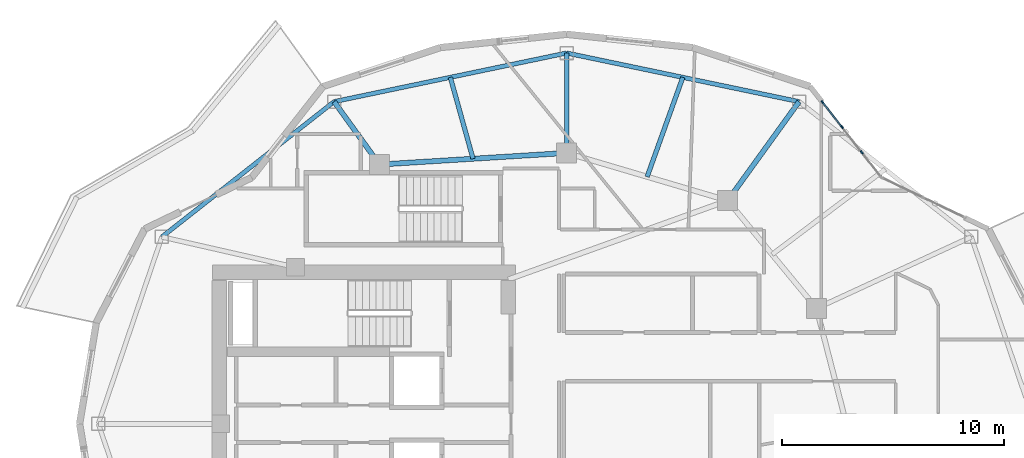
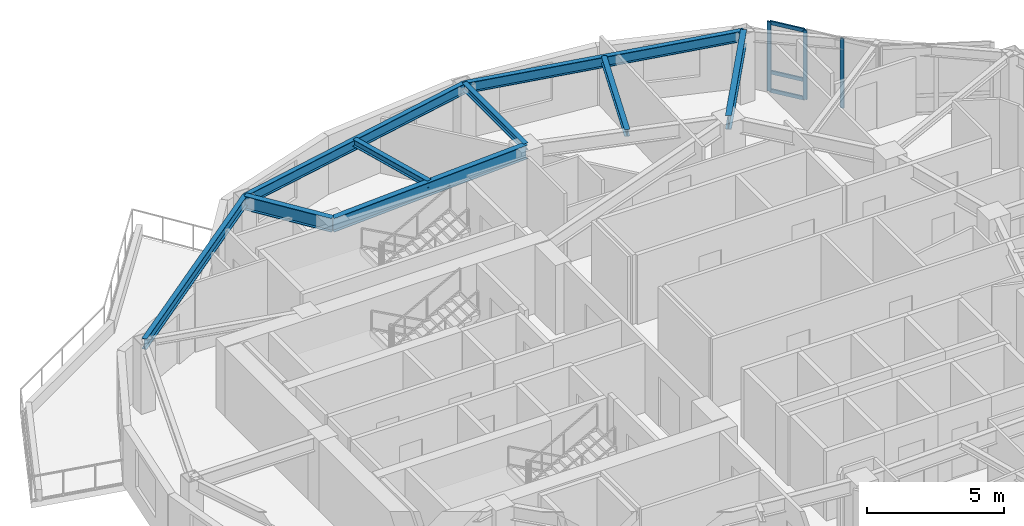
# One storey, part 3 of 13: 9 beams, 6 members, 1 element without a shape of its own.
"""IFC4 building model written with IfcOpenShell, lengths in metres."""

from ifc_helpers import new_model, si_unit, direction, frame, origin, origin_2d, place, context, subcontext, project, spatial, rectangle, i_section, extrude, material, layer, layer_set, material_profile, profile_set, type_object, element, aggregate, save


model = new_model("IFC4")

# Units and contexts
model_context = context("Model", 3, precision=1e-05, world=origin(), true_north=direction((0.0, 1.0)))
body_context = subcontext(model_context, "Body", "Model", "MODEL_VIEW")
ifc_project = project(units=[si_unit("LENGTHUNIT", "METRE"), si_unit("AREAUNIT", "SQUARE_METRE"), si_unit("VOLUMEUNIT", "CUBIC_METRE"), si_unit("PLANEANGLEUNIT", "RADIAN"), si_unit("MASSUNIT", "GRAM", prefix="KILO")], contexts=[model_context])

# Site, building, storey
site_placement = place(None, origin())
site = spatial("IfcSite", under=ifc_project, at=site_placement, CompositionType="ELEMENT")
building_placement = place(site_placement, origin())
building = spatial("IfcBuilding", under=site, at=building_placement, Name="Kolvaren Gate Tower and Convention Centre", CompositionType="ELEMENT")
storey_placement = place(building_placement, frame((0.0, 0.0, 183.5)))
storey = spatial("IfcBuildingStorey", under=building, at=storey_placement, Name="L48", CompositionType="ELEMENT", Elevation=183.5)

# Curtain wall, members
ifc_material_1 = material(Name="Anodized Architectural Aluminium Alloy 6063-T6", Category="aluminium")
ifc_layer = layer(ifc_material_1, 0.159912109375)
ifc_layer_set = layer_set([ifc_layer], Name="Anodized Architectural Aluminium Alloy 6063-T6")
curtain_wall_type = type_object("IfcCurtainWallType", Name="CW-HTL-UNIT", PredefinedType="NOTDEFINED", material=ifc_layer_set)
curtain_wall_placement = place(storey_placement, origin())
curtain_wall = element("IfcCurtainWall", 1, at=curtain_wall_placement, inside=storey, type_object=curtain_wall_type, Name="Tower L48 Unitised Curtain Wall CW-HTL-UNIT Bay 03", PredefinedType="NOTDEFINED")
ifc_material_profile_1 = material_profile(ifc_material_1, rectangle(XDim=0.06494140625, YDim=0.159912109375, at=origin_2d()), Name="CW-MEM-MUL-160")
ifc_profile_set_1 = profile_set([ifc_material_profile_1], Name="Anodized Architectural Aluminium Alloy 6063-T6")
member_type_1 = type_object("IfcMemberType", Name="CW-MEM-MUL-160", PredefinedType="MULLION", material=ifc_profile_set_1)
member_1_placement = place(storey_placement, frame((41.65380859375, 41.4833984375, 0.0), z_axis=(0.0, 0.0, 1.0), x_axis=(0.787403535469, 0.616437890084, 0.0)))
member_1 = element("IfcMember", 2, at=member_1_placement, type_object=member_type_1, Name="CW-03 mullion 1", PredefinedType="MULLION", context=body_context, shape_type="SweptSolid", body=[
    extrude(rectangle(XDim=0.06494140625, YDim=0.159912109375, at=origin_2d()), origin(), (0.0, 0.0, 1.0), 3.080078125),
])
member_2_placement = place(storey_placement, frame((42.527099609375, 40.367919921875, 0.0), z_axis=(0.0, 0.0, 1.0), x_axis=(0.787403535469, 0.616437890084, 0.0)))
member_2 = element("IfcMember", 3, at=member_2_placement, type_object=member_type_1, Name="CW-03 mullion 2", PredefinedType="MULLION", context=body_context, shape_type="SweptSolid", body=[
    extrude(rectangle(XDim=0.06494140625, YDim=0.159912109375, at=origin_2d()), origin(), (0.0, 0.0, 1.0), 3.080078125),
])
member_3_placement = place(storey_placement, frame((43.420166015625, 39.22705078125, 0.0), z_axis=(0.0, 0.0, 1.0), x_axis=(0.787403535469, 0.616437890084, 0.0)))
member_3 = element("IfcMember", 4, at=member_3_placement, type_object=member_type_1, Name="CW-03 mullion 3", PredefinedType="MULLION", context=body_context, shape_type="SweptSolid", body=[
    extrude(rectangle(XDim=0.06494140625, YDim=0.159912109375, at=origin_2d()), origin(), (0.0, 0.0, 1.0), 3.080078125),
])
ifc_material_profile_2 = material_profile(ifc_material_1, rectangle(XDim=0.06494140625, YDim=0.159912109375, at=origin_2d()), Name="CW-MEM-TRN-160")
ifc_profile_set_2 = profile_set([ifc_material_profile_2], Name="Anodized Architectural Aluminium Alloy 6063-T6")
member_type_2 = type_object("IfcMemberType", Name="CW-MEM-TRN-160", PredefinedType="USERDEFINED", material=ifc_profile_set_2)
member_4_placement = place(storey_placement, frame((41.673828125, 41.457763671875, 0.032470703125), z_axis=(0.616488451497, -0.787363949626, 0.0), x_axis=(0.787363949626, 0.616488451497, 0.0)))
member_4 = element("IfcMember", 5, at=member_4_placement, type_object=member_type_2, Name="CW-03 transom 1.1", ObjectType="TRANSOM", PredefinedType="USERDEFINED", context=body_context, shape_type="SweptSolid", body=[
    extrude(rectangle(XDim=0.06494140625, YDim=0.159912109375, at=origin_2d()), origin(), (0.0, 0.0, 1.0), 1.3515625),
])
member_5_placement = place(storey_placement, frame((41.673828125, 41.457763671875, 0.85009765625), z_axis=(0.616488451497, -0.787363949626, 0.0), x_axis=(0.787363949626, 0.616488451497, 0.0)))
member_5 = element("IfcMember", 6, at=member_5_placement, type_object=member_type_2, Name="CW-03 transom 1.2", ObjectType="TRANSOM", PredefinedType="USERDEFINED", context=body_context, shape_type="SweptSolid", body=[
    extrude(rectangle(XDim=0.06494140625, YDim=0.159912109375, at=origin_2d()), origin(), (0.0, 0.0, 1.0), 1.3515625),
])
member_6_placement = place(storey_placement, frame((41.673828125, 41.457763671875, 3.047607421875), z_axis=(0.616488451497, -0.787363949626, 0.0), x_axis=(0.787363949626, 0.616488451497, 0.0)))
member_6 = element("IfcMember", 7, at=member_6_placement, type_object=member_type_2, Name="CW-03 transom 1.3", ObjectType="TRANSOM", PredefinedType="USERDEFINED", context=body_context, shape_type="SweptSolid", body=[
    extrude(rectangle(XDim=0.06494140625, YDim=0.159912109375, at=origin_2d()), origin(), (0.0, 0.0, 1.0), 1.3515625),
])
aggregate(curtain_wall, [member_1, member_2, member_3, member_4, member_5, member_6])

# Beams
ifc_material_2 = material(Name="Structural steel ASTM A992 Grade 345 MPa", Category="steel")
ifc_material_profile_3 = material_profile(ifc_material_2, i_section(OverallWidth=0.22998046875, OverallDepth=0.616943359375, WebThickness=0.01318359375, FlangeThickness=0.022216796875, at=origin_2d()), Name="W610X140")
ifc_profile_set_3 = profile_set([ifc_material_profile_3], Name="Structural steel ASTM A992 Grade 345 MPa")
beam_type_1 = type_object("IfcBeamType", Name="STR-BM-W610X140", PredefinedType="BEAM", material=ifc_profile_set_3)
beam_1_placement = place(storey_placement, frame((30.125, 39.199951171875, 2.771484375), z_axis=(-0.998078258568, -0.06196603726, 0.0), x_axis=(0.06196603726, -0.998078258568, 0.0)))
element("IfcBeam", 8, at=beam_1_placement, inside=storey, type_object=beam_type_1, Name="Tower L48 Primary Ring Girder G-04", PredefinedType="BEAM", context=body_context, shape_type="SweptSolid", body=[
    extrude(i_section(OverallWidth=0.22998046875, OverallDepth=0.616943359375, WebThickness=0.01318359375, FlangeThickness=0.022216796875, at=origin_2d()), origin(), (0.0, 0.0, 1.0), 8.443115234375),
])
beam_2_placement = place(storey_placement, frame((37.381591796875, 37.054931640625, 2.771484375), z_axis=(0.58520818289, 0.810883088169, 0.0), x_axis=(-0.810883088169, 0.58520818289, 0.0)))
element("IfcBeam", 9, at=beam_2_placement, inside=storey, type_object=beam_type_1, Name="Tower L48 Radial Floor Girder RB-03", PredefinedType="BEAM", context=body_context, shape_type="SweptSolid", body=[
    extrude(i_section(OverallWidth=0.22998046875, OverallDepth=0.616943359375, WebThickness=0.01318359375, FlangeThickness=0.022216796875, at=origin_2d()), origin(), (0.0, 0.0, 1.0), 5.493408203125),
])
beam_3_placement = place(storey_placement, frame((21.697998046875, 38.6767578125, 2.771484375), z_axis=(-0.585171547435, 0.810909526441, 0.0), x_axis=(-0.810909526441, -0.585171547435, 0.0)))
element("IfcBeam", 10, at=beam_3_placement, inside=storey, type_object=beam_type_1, Name="Tower L48 Radial Floor Girder RB-05", PredefinedType="BEAM", context=body_context, shape_type="SweptSolid", body=[
    extrude(i_section(OverallWidth=0.22998046875, OverallDepth=0.616943359375, WebThickness=0.01318359375, FlangeThickness=0.022216796875, at=origin_2d()), origin(), (0.0, 0.0, 1.0), 3.493408203125),
])
ifc_material_profile_4 = material_profile(ifc_material_2, i_section(OverallWidth=0.205078125, OverallDepth=0.31005859375, WebThickness=0.009521484375, FlangeThickness=0.016357421875, at=origin_2d()), Name="W310X74")
ifc_profile_set_4 = profile_set([ifc_material_profile_4], Name="Structural steel ASTM A992 Grade 345 MPa")
beam_type_2 = type_object("IfcBeamType", Name="STR-JS-W310X74", PredefinedType="JOIST", material=ifc_profile_set_4)
beam_4_placement = place(storey_placement, frame((30.125, 39.199951171875, 2.925048828125), z_axis=(0.0, 1.0, 0.0), x_axis=(-1.0, 0.0, 0.0)))
element("IfcBeam", 11, at=beam_4_placement, inside=storey, type_object=beam_type_2, Name="Tower L48 Radial Floor Girder RB-04", PredefinedType="JOIST", context=body_context, shape_type="SweptSolid", body=[
    extrude(i_section(OverallWidth=0.205078125, OverallDepth=0.31005859375, WebThickness=0.009521484375, FlangeThickness=0.016357421875, at=origin_2d()), origin(), (0.0, 0.0, 1.0), 4.5),
])
beam_5_placement = place(storey_placement, frame((33.75341796875, 38.12744140625, 2.925048828125), z_axis=(0.33785426197, 0.941198436924, 0.0), x_axis=(-0.941198436924, 0.33785426197, 0.0)))
element("IfcBeam", 12, at=beam_5_placement, inside=storey, type_object=beam_type_2, Name="Tower L48 Secondary Composite Floor Joist J-03.1", PredefinedType="JOIST", context=body_context, shape_type="SweptSolid", body=[
    extrude(i_section(OverallWidth=0.205078125, OverallDepth=0.31005859375, WebThickness=0.009521484375, FlangeThickness=0.016357421875, at=origin_2d()), origin(), (0.0, 0.0, 1.0), 4.757080078125),
])
beam_6_placement = place(storey_placement, frame((25.91162109375, 38.938232421875, 2.925048828125), z_axis=(-0.26855678261, 0.963263855085, 0.0), x_axis=(-0.963263855085, -0.26855678261, 0.0)))
element("IfcBeam", 13, at=beam_6_placement, inside=storey, type_object=beam_type_2, Name="Tower L48 Secondary Composite Floor Joist J-04.1", PredefinedType="JOIST", context=body_context, shape_type="SweptSolid", body=[
    extrude(i_section(OverallWidth=0.205078125, OverallDepth=0.31005859375, WebThickness=0.009521484375, FlangeThickness=0.016357421875, at=origin_2d()), origin(), (0.0, 0.0, 1.0), 3.806396484375),
])
ifc_material_profile_5 = material_profile(ifc_material_2, i_section(OverallWidth=0.194091796875, OverallDepth=0.468994140625, WebThickness=0.0126953125, FlangeThickness=0.0205078125, at=origin_2d()), Name="W460X106")
ifc_profile_set_5 = profile_set([ifc_material_profile_5], Name="Structural steel ASTM A992 Grade 345 MPa")
beam_type_3 = type_object("IfcBeamType", Name="STR-SP-W460X106", PredefinedType="SPANDREL", material=ifc_profile_set_5)
beam_7_placement = place(storey_placement, frame((40.596435546875, 41.509521484375, 2.845458984375), z_axis=(-0.978814350133, 0.204749769168, 0.0), x_axis=(-0.204749769168, -0.978814350133, 0.0)))
element("IfcBeam", 14, at=beam_7_placement, inside=storey, type_object=beam_type_3, Name="Tower L48 Perimeter Spandrel Beam SP-03", PredefinedType="SPANDREL", context=body_context, shape_type="SweptSolid", body=[
    extrude(i_section(OverallWidth=0.194091796875, OverallDepth=0.468994140625, WebThickness=0.0126953125, FlangeThickness=0.0205078125, at=origin_2d()), origin(), (0.0, 0.0, 1.0), 10.697998046875),
])
beam_8_placement = place(storey_placement, frame((30.125, 43.699951171875, 2.845458984375), z_axis=(-0.978813393389, -0.204754342865, 0.0), x_axis=(0.204754342865, -0.978813393389, 0.0)))
element("IfcBeam", 15, at=beam_8_placement, inside=storey, type_object=beam_type_3, Name="Tower L48 Perimeter Spandrel Beam SP-04", PredefinedType="SPANDREL", context=body_context, shape_type="SweptSolid", body=[
    extrude(i_section(OverallWidth=0.194091796875, OverallDepth=0.468994140625, WebThickness=0.0126953125, FlangeThickness=0.0205078125, at=origin_2d()), origin(), (0.0, 0.0, 1.0), 10.69775390625),
])
beam_9_placement = place(storey_placement, frame((19.65380859375, 41.509521484375, 2.845458984375), z_axis=(-0.786460066421, -0.617641128752, 0.0), x_axis=(0.617641128752, -0.786460066421, 0.0)))
element("IfcBeam", 16, at=beam_9_placement, inside=storey, type_object=beam_type_3, Name="Tower L48 Perimeter Spandrel Beam SP-05", PredefinedType="SPANDREL", context=body_context, shape_type="SweptSolid", body=[
    extrude(i_section(OverallWidth=0.194091796875, OverallDepth=0.468994140625, WebThickness=0.0126953125, FlangeThickness=0.0205078125, at=origin_2d()), origin(), (0.0, 0.0, 1.0), 9.861328125),
])

save(model, "model.ifc")
